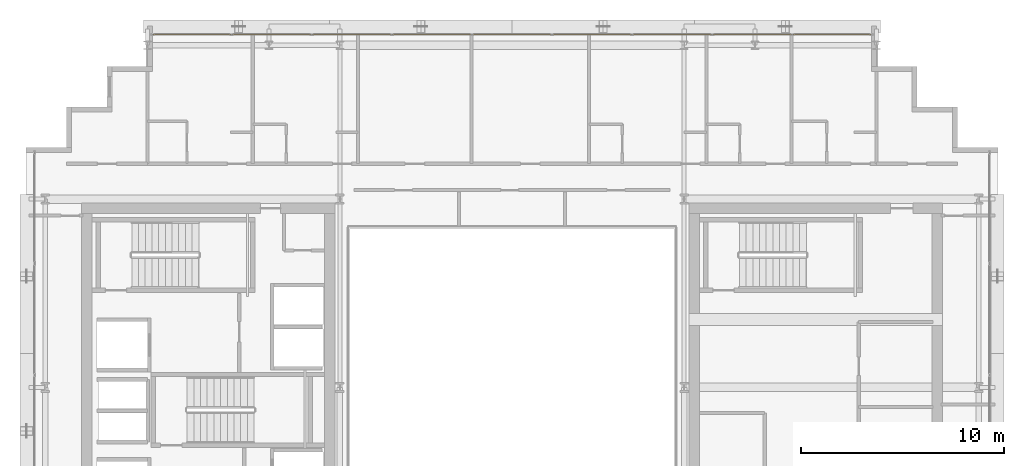
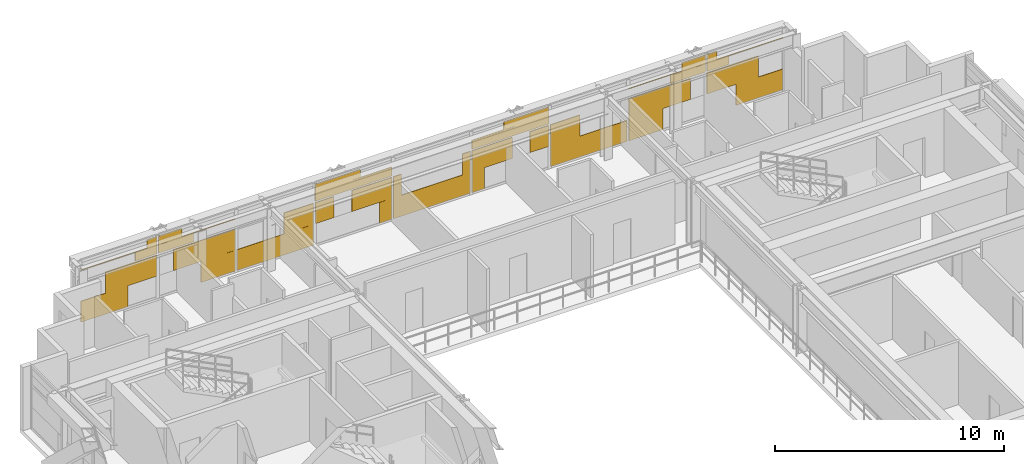
# One storey, part 31 of 31: 1 covering.
"""IFC4 building model written with IfcOpenShell, lengths in metres."""

from ifc_helpers import new_model, si_unit, direction, frame, origin, origin_2d, place, context, subcontext, project, spatial, rectangle, extrude, material, layer, layer_set, type_object, element, save


model = new_model("IFC4")

# Units and contexts
model_context = context("Model", 3, precision=1e-05, world=origin(), true_north=direction((0.0, 1.0)))
body_context = subcontext(model_context, "Body", "Model", "MODEL_VIEW")
ifc_project = project(units=[si_unit("LENGTHUNIT", "METRE"), si_unit("AREAUNIT", "SQUARE_METRE"), si_unit("VOLUMEUNIT", "CUBIC_METRE"), si_unit("PLANEANGLEUNIT", "RADIAN"), si_unit("MASSUNIT", "GRAM", prefix="KILO")], contexts=[model_context])

# Site, building, storey
site_placement = place(None, origin())
site = spatial("IfcSite", under=ifc_project, at=site_placement, CompositionType="ELEMENT")
building_placement = place(site_placement, origin())
building = spatial("IfcBuilding", under=site, at=building_placement, Name="Ocotamira Hotel", CompositionType="ELEMENT")
storey_placement = place(building_placement, frame((0.0, 0.0, 188.39990234375)))
storey = spatial("IfcBuildingStorey", under=building, at=storey_placement, Name="L47", CompositionType="ELEMENT", Elevation=188.39990234375)

# Covering
ifc_material = material(Name="Insulated pale-metal aluminium spandrel panel", Category="aluminium")
ifc_layer = layer(ifc_material, 0.044921875)
ifc_layer_set = layer_set([ifc_layer], Name="Insulated pale-metal aluminium spandrel panel")
covering_type = type_object("IfcCoveringType", Name="COV-INFILL-45", PredefinedType="CLADDING", material=ifc_layer_set)
covering_placement = place(storey_placement, origin())
element("IfcCovering", 1, at=covering_placement, inside=storey, type_object=covering_type, Name="L47 Curtain Wall Infill CW-4 CW-L47-N", PredefinedType="CLADDING", context=body_context, shape_type="SweptSolid", body=[
    extrude(rectangle(XDim=2.37158203125, YDim=0.044921875, at=origin_2d()), frame((15.46630859375, 45.580078125, 0.07568359375), z_axis=(0.0, 0.0, 1.0), x_axis=(1.0, 0.0, 0.0)), (0.0, 0.0, 1.0), 1.117919921875),
    extrude(rectangle(XDim=2.58251953125, YDim=0.044921875, at=origin_2d()), frame((16.82373046875, 45.580078125, 1.1943359375), z_axis=(0.0, 0.0, 1.0), x_axis=(1.0, 0.0, 0.0)), (0.0, 0.0, 1.0), 1.117919921875),
    extrude(rectangle(XDim=3.834716796875, YDim=0.044921875, at=origin_2d()), frame((16.19775390625, 45.580078125, 2.83154296875), z_axis=(0.0, 0.0, 1.0), x_axis=(1.0, 0.0, 0.0)), (0.0, 0.0, 1.0), 0.0302734375),
    extrude(rectangle(XDim=1.090576171875, YDim=0.044921875, at=origin_2d()), frame((17.56982421875, 45.580078125, 2.38818359375), z_axis=(0.0, 0.0, 1.0), x_axis=(1.0, 0.0, 0.0)), (0.0, 0.0, 1.0), 0.442626953125),
    extrude(rectangle(XDim=0.496826171875, YDim=0.044921875, at=origin_2d()), frame((17.86669921875, 45.580078125, 2.863037109375), z_axis=(0.0, 0.0, 1.0), x_axis=(1.0, 0.0, 0.0)), (0.0, 0.0, 1.0), 0.431640625),
    extrude(rectangle(XDim=3.12109375, YDim=0.044921875, at=origin_2d()), frame((20.510009765625, 45.580078125, 1.1943359375), z_axis=(0.0, 0.0, 1.0), x_axis=(1.0, 0.0, 0.0)), (0.0, 0.0, 1.0), 1.117919921875),
    extrude(rectangle(XDim=1.72265625, YDim=0.044921875, at=origin_2d()), frame((21.209228515625, 45.580078125, 0.07568359375), z_axis=(0.0, 0.0, 1.0), x_axis=(1.0, 0.0, 0.0)), (0.0, 0.0, 1.0), 1.117919921875),
    extrude(rectangle(XDim=1.779296875, YDim=0.044921875, at=origin_2d()), frame((19.085693359375, 45.580078125, 2.38818359375), z_axis=(0.0, 0.0, 1.0), x_axis=(1.0, 0.0, 0.0)), (0.0, 0.0, 1.0), 0.442626953125),
    extrude(rectangle(XDim=3.87451171875, YDim=0.044921875, at=origin_2d()), frame((20.13330078125, 45.580078125, 2.83154296875), z_axis=(0.0, 0.0, 1.0), x_axis=(1.0, 0.0, 0.0)), (0.0, 0.0, 1.0), 0.0302734375),
    extrude(rectangle(XDim=1.185791015625, YDim=0.044921875, at=origin_2d()), frame((18.7890625, 45.580078125, 2.863037109375), z_axis=(0.0, 0.0, 1.0), x_axis=(1.0, 0.0, 0.0)), (0.0, 0.0, 1.0), 0.431640625),
    extrude(rectangle(XDim=3.87451171875, YDim=0.044921875, at=origin_2d()), frame((24.0888671875, 45.580078125, 0.07568359375), z_axis=(0.0, 0.0, 1.0), x_axis=(1.0, 0.0, 0.0)), (0.0, 0.0, 1.0), 1.117919921875),
    extrude(rectangle(XDim=1.493896484375, YDim=0.044921875, at=origin_2d()), frame((25.279296875, 45.580078125, 1.1943359375), z_axis=(0.0, 0.0, 1.0), x_axis=(1.0, 0.0, 0.0)), (0.0, 0.0, 1.0), 1.117919921875),
    extrude(rectangle(XDim=0.943115234375, YDim=0.044921875, at=origin_2d()), frame((26.578857421875, 45.580078125, 1.1943359375), z_axis=(0.0, 0.0, 1.0), x_axis=(1.0, 0.0, 0.0)), (0.0, 0.0, 1.0), 1.117919921875),
    extrude(rectangle(XDim=2.031982421875, YDim=0.044921875, at=origin_2d()), frame((28.9658203125, 45.580078125, 1.1943359375), z_axis=(0.0, 0.0, 1.0), x_axis=(1.0, 0.0, 0.0)), (0.0, 0.0, 1.0), 1.117919921875),
    extrude(rectangle(XDim=0.6337890625, YDim=0.044921875, at=origin_2d()), frame((29.664794921875, 45.580078125, 0.07568359375), z_axis=(0.0, 0.0, 1.0), x_axis=(1.0, 0.0, 0.0)), (0.0, 0.0, 1.0), 1.117919921875),
    extrude(rectangle(XDim=3.87451171875, YDim=0.044921875, at=origin_2d()), frame((28.04443359375, 45.580078125, 2.38818359375), z_axis=(0.0, 0.0, 1.0), x_axis=(1.0, 0.0, 0.0)), (0.0, 0.0, 1.0), 0.473876953125),
    extrude(rectangle(XDim=2.274658203125, YDim=0.044921875, at=origin_2d()), frame((27.244384765625, 45.580078125, 2.863037109375), z_axis=(0.0, 0.0, 1.0), x_axis=(1.0, 0.0, 0.0)), (0.0, 0.0, 1.0), 0.431640625),
    extrude(rectangle(XDim=3.87451171875, YDim=0.044921875, at=origin_2d()), frame((32.0, 45.580078125, 0.07568359375), z_axis=(0.0, 0.0, 1.0), x_axis=(1.0, 0.0, 0.0)), (0.0, 0.0, 1.0), 1.117919921875),
    extrude(rectangle(XDim=0.40478515625, YDim=0.044921875, at=origin_2d()), frame((30.26513671875, 45.580078125, 1.1943359375), z_axis=(0.0, 0.0, 1.0), x_axis=(1.0, 0.0, 0.0)), (0.0, 0.0, 1.0), 1.117919921875),
    extrude(rectangle(XDim=0.40478515625, YDim=0.044921875, at=origin_2d()), frame((33.73486328125, 45.580078125, 1.1943359375), z_axis=(0.0, 0.0, 1.0), x_axis=(1.0, 0.0, 0.0)), (0.0, 0.0, 1.0), 1.117919921875),
    extrude(rectangle(XDim=0.6337890625, YDim=0.044921875, at=origin_2d()), frame((34.335205078125, 45.580078125, 0.07568359375), z_axis=(0.0, 0.0, 1.0), x_axis=(1.0, 0.0, 0.0)), (0.0, 0.0, 1.0), 1.117919921875),
    extrude(rectangle(XDim=2.031982421875, YDim=0.044921875, at=origin_2d()), frame((35.0341796875, 45.580078125, 1.1943359375), z_axis=(0.0, 0.0, 1.0), x_axis=(1.0, 0.0, 0.0)), (0.0, 0.0, 1.0), 1.117919921875),
    extrude(rectangle(XDim=0.943115234375, YDim=0.044921875, at=origin_2d()), frame((37.421142578125, 45.580078125, 1.1943359375), z_axis=(0.0, 0.0, 1.0), x_axis=(1.0, 0.0, 0.0)), (0.0, 0.0, 1.0), 1.117919921875),
    extrude(rectangle(XDim=3.87451171875, YDim=0.044921875, at=origin_2d()), frame((35.95556640625, 45.580078125, 2.38818359375), z_axis=(0.0, 0.0, 1.0), x_axis=(1.0, 0.0, 0.0)), (0.0, 0.0, 1.0), 0.473876953125),
    extrude(rectangle(XDim=2.274658203125, YDim=0.044921875, at=origin_2d()), frame((36.755615234375, 45.580078125, 2.863037109375), z_axis=(0.0, 0.0, 1.0), x_axis=(1.0, 0.0, 0.0)), (0.0, 0.0, 1.0), 0.431640625),
    extrude(rectangle(XDim=3.87451171875, YDim=0.044921875, at=origin_2d()), frame((39.9111328125, 45.580078125, 0.07568359375), z_axis=(0.0, 0.0, 1.0), x_axis=(1.0, 0.0, 0.0)), (0.0, 0.0, 1.0), 1.117919921875),
    extrude(rectangle(XDim=1.493896484375, YDim=0.044921875, at=origin_2d()), frame((38.720703125, 45.580078125, 1.1943359375), z_axis=(0.0, 0.0, 1.0), x_axis=(1.0, 0.0, 0.0)), (0.0, 0.0, 1.0), 1.117919921875),
    extrude(rectangle(XDim=1.72265625, YDim=0.044921875, at=origin_2d()), frame((42.790771484375, 45.580078125, 0.07568359375), z_axis=(0.0, 0.0, 1.0), x_axis=(1.0, 0.0, 0.0)), (0.0, 0.0, 1.0), 1.117919921875),
    extrude(rectangle(XDim=3.12109375, YDim=0.044921875, at=origin_2d()), frame((43.489990234375, 45.580078125, 1.1943359375), z_axis=(0.0, 0.0, 1.0), x_axis=(1.0, 0.0, 0.0)), (0.0, 0.0, 1.0), 1.117919921875),
    extrude(rectangle(XDim=3.87451171875, YDim=0.044921875, at=origin_2d()), frame((43.86669921875, 45.580078125, 2.83154296875), z_axis=(0.0, 0.0, 1.0), x_axis=(1.0, 0.0, 0.0)), (0.0, 0.0, 1.0), 0.0302734375),
    extrude(rectangle(XDim=1.779296875, YDim=0.044921875, at=origin_2d()), frame((44.914306640625, 45.580078125, 2.38818359375), z_axis=(0.0, 0.0, 1.0), x_axis=(1.0, 0.0, 0.0)), (0.0, 0.0, 1.0), 0.442626953125),
    extrude(rectangle(XDim=1.185791015625, YDim=0.044921875, at=origin_2d()), frame((45.2109375, 45.580078125, 2.863037109375), z_axis=(0.0, 0.0, 1.0), x_axis=(1.0, 0.0, 0.0)), (0.0, 0.0, 1.0), 0.431640625),
    extrude(rectangle(XDim=2.58251953125, YDim=0.044921875, at=origin_2d()), frame((47.17626953125, 45.580078125, 1.1943359375), z_axis=(0.0, 0.0, 1.0), x_axis=(1.0, 0.0, 0.0)), (0.0, 0.0, 1.0), 1.117919921875),
    extrude(rectangle(XDim=2.37158203125, YDim=0.044921875, at=origin_2d()), frame((48.53369140625, 45.580078125, 0.07568359375), z_axis=(0.0, 0.0, 1.0), x_axis=(1.0, 0.0, 0.0)), (0.0, 0.0, 1.0), 1.117919921875),
    extrude(rectangle(XDim=1.090576171875, YDim=0.044921875, at=origin_2d()), frame((46.43017578125, 45.580078125, 2.38818359375), z_axis=(0.0, 0.0, 1.0), x_axis=(1.0, 0.0, 0.0)), (0.0, 0.0, 1.0), 0.442626953125),
    extrude(rectangle(XDim=3.834716796875, YDim=0.044921875, at=origin_2d()), frame((47.80224609375, 45.580078125, 2.83154296875), z_axis=(0.0, 0.0, 1.0), x_axis=(1.0, 0.0, 0.0)), (0.0, 0.0, 1.0), 0.0302734375),
    extrude(rectangle(XDim=0.496826171875, YDim=0.044921875, at=origin_2d()), frame((46.13330078125, 45.580078125, 2.863037109375), z_axis=(0.0, 0.0, 1.0), x_axis=(1.0, 0.0, 0.0)), (0.0, 0.0, 1.0), 0.431640625),
])

save(model, "model.ifc")
